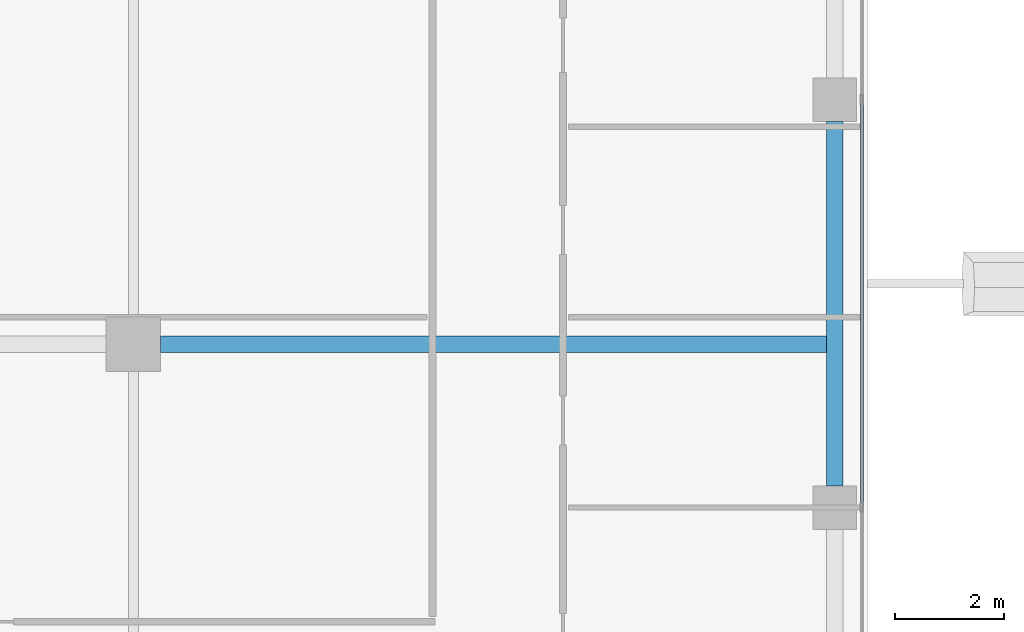
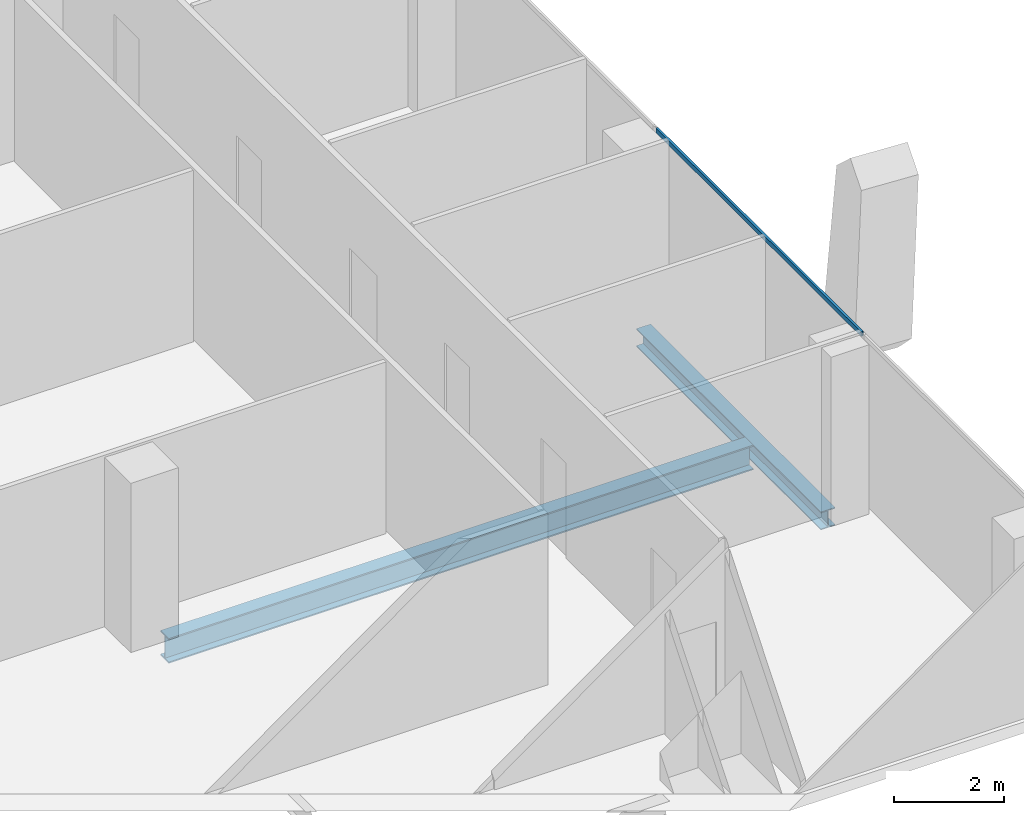
# One storey, part 8 of 28: 2 beams, 1 member, 1 element without a shape of its own.
"""IFC4 building model written with IfcOpenShell, lengths in metres."""

from ifc_helpers import new_model, si_unit, direction, frame, origin, origin_2d, place, context, subcontext, project, spatial, hollow_rectangle, i_section, extrude, source, transform, mapped, material, material_profile, profile_set, type_object, element, aggregate, save


model = new_model("IFC4")

# Units and contexts
model_context = context("Model", 3, precision=1e-05, world=origin(), true_north=direction((0.0, 1.0)))
body_context = subcontext(model_context, "Body", "Model", "MODEL_VIEW")
ifc_project = project(units=[si_unit("LENGTHUNIT", "METRE"), si_unit("AREAUNIT", "SQUARE_METRE"), si_unit("VOLUMEUNIT", "CUBIC_METRE"), si_unit("PLANEANGLEUNIT", "RADIAN"), si_unit("MASSUNIT", "GRAM", prefix="KILO")], contexts=[model_context])

# Site, building, storey
site_placement = place(None, origin())
site = spatial("IfcSite", under=ifc_project, at=site_placement, CompositionType="ELEMENT")
building_placement = place(site_placement, origin())
building = spatial("IfcBuilding", under=site, at=building_placement, Name="Khomas Fold Tower", CompositionType="ELEMENT")
storey_placement = place(building_placement, frame((0.0, 0.0, 298.199951171875)))
storey = spatial("IfcBuildingStorey", under=building, at=storey_placement, Name="L67", CompositionType="ELEMENT", Elevation=298.199951171875)

# Beams
ifc_material_1 = material(Name="Steel S355", Category="steel")
ifc_material_profile_1 = material_profile(ifc_material_1, i_section(OverallWidth=0.300048828125, OverallDepth=0.39990234375, WebThickness=0.013427734375, FlangeThickness=0.02392578125, at=origin_2d()), Name="HE 400 B")
ifc_profile_set_1 = profile_set([ifc_material_profile_1], Name="Steel S355")
beam_type_1 = type_object("IfcBeamType", Name="HE 400 B spandrel SB5", PredefinedType="SPANDREL", material=ifc_profile_set_1)
shared_shape_1 = source(origin(), body_context, "Body", "SweptSolid", [
    extrude(i_section(OverallWidth=0.300048828125, OverallDepth=0.39990234375, WebThickness=0.013427734375, FlangeThickness=0.02392578125, at=origin_2d()), origin(), (0.0, 0.0, 1.0), 6.7001953125),
])
beam_1_placement = place(storey_placement, frame((47.39990234375, 19.89990234375, -0.449951171875), z_axis=(0.0, 1.0, 0.0), x_axis=(-1.0, 0.0, 0.0)))
element("IfcBeam", 1, at=beam_1_placement, inside=storey, type_object=beam_type_1, Name="SB5", PredefinedType="SPANDREL", context=body_context, shape_type="MappedRepresentation", body=[
    mapped(shared_shape_1, transform((0.0, 0.0, 0.0))),
])
ifc_material_2 = material(Name="Steel S355", Category="steel")
ifc_material_profile_2 = material_profile(ifc_material_2, i_section(OverallWidth=0.300048828125, OverallDepth=0.550048828125, WebThickness=0.014892578125, FlangeThickness=0.029052734375, at=origin_2d()), Name="HE 550 B")
ifc_profile_set_2 = profile_set([ifc_material_profile_2], Name="Steel S355")
beam_type_2 = type_object("IfcBeamType", Name="HE 550 B beam GB4", PredefinedType="BEAM", material=ifc_profile_set_2)
shared_shape_2 = source(origin(), body_context, "Body", "SweptSolid", [
    extrude(i_section(OverallWidth=0.300048828125, OverallDepth=0.550048828125, WebThickness=0.014892578125, FlangeThickness=0.029052734375, at=origin_2d()), origin(), (0.0, 0.0, 1.0), 12.25),
])
beam_2_placement = place(storey_placement, frame((35.0, 22.5, -0.52490234375), z_axis=(1.0, 0.0, 0.0), x_axis=(0.0, 1.0, 0.0)))
element("IfcBeam", 2, at=beam_2_placement, inside=storey, type_object=beam_type_2, Name="GB4", PredefinedType="BEAM", context=body_context, shape_type="MappedRepresentation", body=[
    mapped(shared_shape_2, transform((0.0, 0.0, 0.0))),
])

# Curtain wall, member
ifc_material_3 = material(Name="Aluminium framed double glazing", Category="aluminium")
curtain_wall_type = type_object("IfcCurtainWallType", Name="SK-Unitised clear-glass wall, upper floors CW3", PredefinedType="NOTDEFINED", material=ifc_material_3)
curtain_wall_placement = place(storey_placement, origin())
curtain_wall = element("IfcCurtainWall", 3, at=curtain_wall_placement, inside=storey, type_object=curtain_wall_type, Name="CW3 run L67 03-0", PredefinedType="NOTDEFINED")
ifc_material_4 = material(Name="Aluminium", Category="aluminium")
ifc_material_profile_3 = material_profile(ifc_material_4, hollow_rectangle(XDim=0.050048828125, YDim=0.10009765625, WallThickness=0.00390625, at=origin_2d()), Name="SK-Unitised clear-glass wall, upper floors transom CW3-T")
ifc_profile_set_3 = profile_set([ifc_material_profile_3], Name="Aluminium")
member_type = type_object("IfcMemberType", Name="SK-Unitised clear-glass wall, upper floors transom CW3-T", PredefinedType="USERDEFINED", material=ifc_profile_set_3)
shared_shape_3 = source(origin(), body_context, "Body", "SweptSolid", [
    extrude(hollow_rectangle(XDim=0.050048828125, YDim=0.10009765625, WallThickness=0.00390625, at=origin_2d()), origin(), (0.0, 0.0, 1.0), 7.4501953125),
])
member_placement = place(storey_placement, frame((47.89990234375, 19.52490234375, 3.699951171875), z_axis=(0.0, 1.0, 0.0), x_axis=(-1.0, 0.0, 0.0)))
member = element("IfcMember", 4, at=member_placement, type_object=member_type, Name="CW3 transom 3", ObjectType="TRANSOM", PredefinedType="USERDEFINED", context=body_context, shape_type="MappedRepresentation", body=[
    mapped(shared_shape_3, transform((0.0, 0.0, 0.0))),
])
aggregate(curtain_wall, [member])

save(model, "model.ifc")
